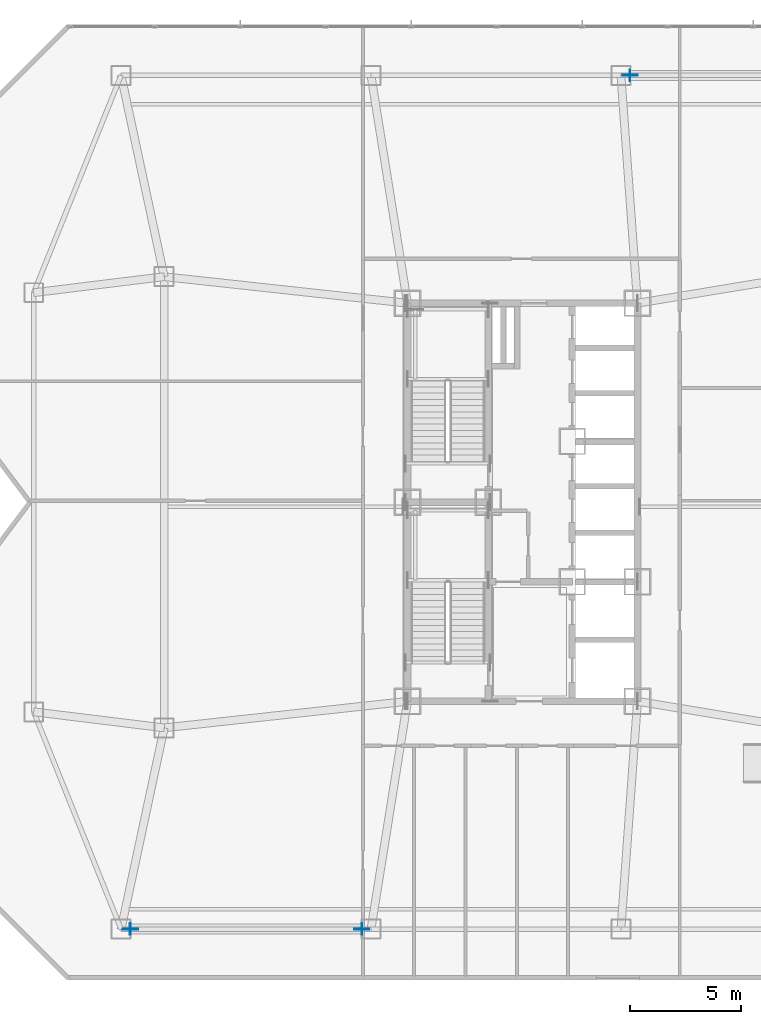
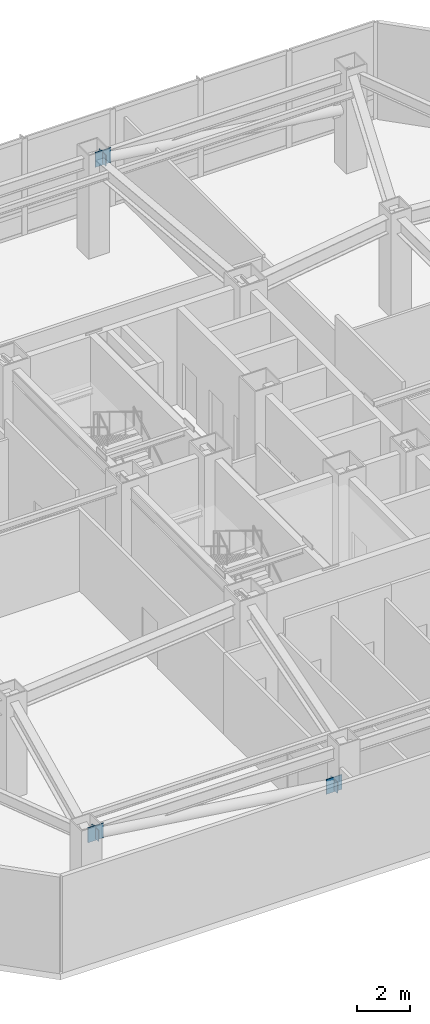
# One storey, part 8 of 16: 6 plates.
"""IFC4 building model written with IfcOpenShell, lengths in metres."""

from ifc_helpers import new_model, si_unit, direction, frame, origin, origin_2d, place, context, subcontext, project, spatial, rectangle, extrude, material, layer, layer_set, type_object, element, save


model = new_model("IFC4")

# Units and contexts
model_context = context("Model", 3, precision=1e-05, world=origin(), true_north=direction((0.0, 1.0)))
body_context = subcontext(model_context, "Body", "Model", "MODEL_VIEW")
ifc_project = project(units=[si_unit("LENGTHUNIT", "METRE"), si_unit("AREAUNIT", "SQUARE_METRE"), si_unit("VOLUMEUNIT", "CUBIC_METRE"), si_unit("PLANEANGLEUNIT", "RADIAN"), si_unit("MASSUNIT", "GRAM", prefix="KILO")], contexts=[model_context])

# Site, building, storey
site_placement = place(None, origin())
site = spatial("IfcSite", under=ifc_project, at=site_placement, CompositionType="ELEMENT")
building_placement = place(site_placement, origin())
building = spatial("IfcBuilding", under=site, at=building_placement, Name="Khamvora Tower", CompositionType="ELEMENT")
storey_placement = place(building_placement, frame((0.0, 0.0, 145.699951171875)))
storey = spatial("IfcBuildingStorey", under=building, at=storey_placement, Name="L37", CompositionType="ELEMENT", Elevation=145.699951171875)

# Plates
ifc_material_1 = material(Name="Steel S355", Category="steel")
ifc_layer_1 = layer(ifc_material_1, 0.02490234375)
ifc_layer_set_1 = layer_set([ifc_layer_1], Name="Steel S355")
plate_type_1 = type_object("IfcPlateType", Name="PL-CAP-25", PredefinedType="SHEET", material=ifc_layer_set_1)
for number, where, z_axis, x_axis, name in (
    (1, (26.93603515625, 8.699951171875, 2.4775390625), (0.0, 0.0, 1.0), (-1.0, 0.0, 0.0), "L37 hollow section steel end cap plate 0792"),
    (2, (16.464111328125, 8.699951171875, 3.8974609375), (0.0, 0.0, 1.0), (-1.0, 0.0, 0.0), "L37 hollow section steel end cap plate 0793"),
    (3, (39.06396484375, 47.300048828125, 3.8974609375), (0.0, 0.0, 1.0), (-1.0, 0.0, 0.0), "L37 hollow section steel end cap plate 0795"),
):
    element("IfcPlate", number, at=place(storey_placement, frame(where, z_axis=z_axis, x_axis=x_axis)), inside=storey, type_object=plate_type_1, Name=name, PredefinedType="SHEET", context=body_context, shape_type="SweptSolid", body=[
        extrude(rectangle(XDim=0.02490234375, YDim=0.51708984375, at=origin_2d()), origin(), (0.0, 0.0, 1.0), 0.51708984375),
    ])
ifc_material_2 = material(Name="Steel S460", Category="steel")
ifc_layer_2 = layer(ifc_material_2, 0.0400390625)
ifc_layer_set_2 = layer_set([ifc_layer_2], Name="Steel S460")
plate_type_2 = type_object("IfcPlateType", Name="PLT-GUS-40", PredefinedType="SHEET", material=ifc_layer_set_2)
for number, where, z_axis, x_axis, name in (
    (4, (26.924072265625, 8.699951171875, 2.39794921875), (0.0, 0.0, 1.0), (1.0, 0.0, 0.0), "L37 brace connection node gusset plate 0225"),
    (5, (16.47607421875, 8.699951171875, 3.81396484375), (0.0, 0.0, 1.0), (1.0, 0.0, 0.0), "L37 brace connection node gusset plate 0226"),
    (6, (39.075927734375, 47.300048828125, 3.81396484375), (0.0, 0.0, 1.0), (1.0, 0.0, 0.0), "L37 brace connection node gusset plate 0228"),
):
    element("IfcPlate", number, at=place(storey_placement, frame(where, z_axis=z_axis, x_axis=x_axis)), inside=storey, type_object=plate_type_2, Name=name, PredefinedType="SHEET", context=body_context, shape_type="SweptSolid", body=[
        extrude(rectangle(XDim=0.679931640625, YDim=0.0400390625, at=origin_2d()), origin(), (0.0, 0.0, 1.0), 0.679931640625),
    ])

save(model, "model.ifc")
